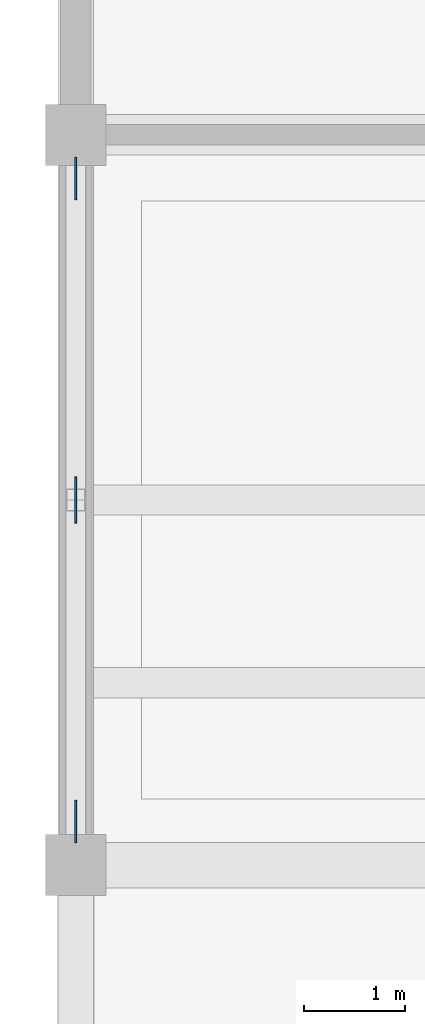
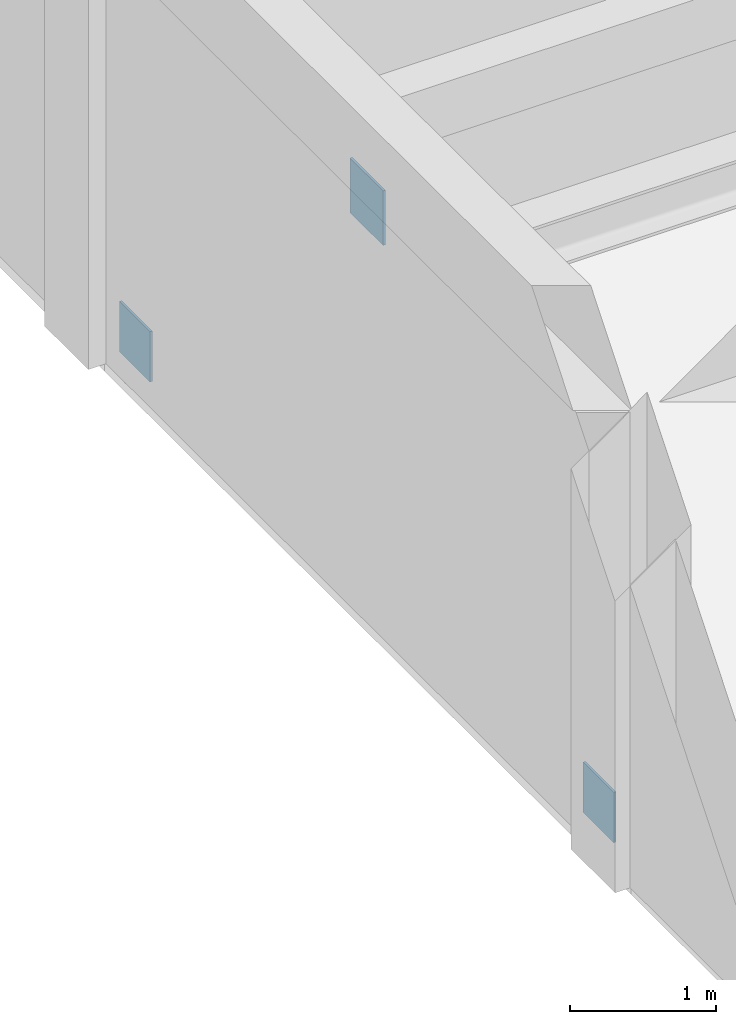
# One storey, part 55 of 81: 3 plates.
"""IFC4 building model written with IfcOpenShell, lengths in metres."""

from ifc_helpers import new_model, si_unit, direction, frame, origin, origin_2d, place, context, subcontext, project, spatial, rectangle, extrude, material, layer, layer_set, type_object, element, save


model = new_model("IFC4")

# Units and contexts
model_context = context("Model", 3, precision=1e-05, world=origin(), true_north=direction((0.0, 1.0)))
body_context = subcontext(model_context, "Body", "Model", "MODEL_VIEW")
ifc_project = project(units=[si_unit("LENGTHUNIT", "METRE"), si_unit("AREAUNIT", "SQUARE_METRE"), si_unit("VOLUMEUNIT", "CUBIC_METRE"), si_unit("PLANEANGLEUNIT", "RADIAN"), si_unit("MASSUNIT", "GRAM", prefix="KILO")], contexts=[model_context])

# Site, building, storey
site_placement = place(None, origin())
site = spatial("IfcSite", under=ifc_project, at=site_placement, CompositionType="ELEMENT")
building_placement = place(site_placement, origin())
building = spatial("IfcBuilding", under=site, at=building_placement, Name="Kavelor Marine Aquarium", CompositionType="ELEMENT")
storey_placement = place(building_placement, frame((0.0, 0.0, 4.679931640625)))
storey = spatial("IfcBuildingStorey", under=building, at=storey_placement, Name="L01", CompositionType="ELEMENT", Elevation=4.679931640625)

# Plates
ifc_material_1 = material(Name="Steel S355", Category="steel")
ifc_layer_1 = layer(ifc_material_1, 0.01953125)
ifc_layer_set_1 = layer_set([ifc_layer_1], Name="PL-GP11")
plate_type_1 = type_object("IfcPlateType", Name="PL-GP11", PredefinedType="SHEET", material=ifc_layer_set_1)
plate_placement = place(storey_placement, frame((3.199951171875, 92.800048828125, 3.072509765625), z_axis=(0.0, 0.0, 1.0), x_axis=(1.0, 0.0, 0.0)))
element("IfcPlate", 1, at=plate_placement, inside=storey, type_object=plate_type_1, Name="sbr:gp:m:1", PredefinedType="SHEET", context=body_context, shape_type="SweptSolid", body=[
    extrude(rectangle(XDim=0.01953125, YDim=0.455078125, at=origin_2d()), origin(), (0.0, 0.0, 1.0), 0.455078125),
])
ifc_material_2 = material(Name="Steel S355", Category="steel")
ifc_layer_2 = layer(ifc_material_2, 0.01806640625)
ifc_layer_set_2 = layer_set([ifc_layer_2], Name="PL-GP12")
plate_type_2 = type_object("IfcPlateType", Name="PL-GP12", PredefinedType="SHEET", material=ifc_layer_set_2)
for number, where, z_axis, x_axis, name in (
    (2, (3.199951171875, 89.6298828125, 0.0), (0.0, 0.0, 1.0), (1.0, 0.0, 0.0), "sbr:gp:a:1"),
    (3, (3.199951171875, 95.969970703125, 0.0), (0.0, 0.0, 1.0), (1.0, 0.0, 0.0), "sbr:gp:b:1"),
):
    element("IfcPlate", number, at=place(storey_placement, frame(where, z_axis=z_axis, x_axis=x_axis)), inside=storey, type_object=plate_type_2, Name=name, PredefinedType="SHEET", context=body_context, shape_type="SweptSolid", body=[
        extrude(rectangle(XDim=0.01806640625, YDim=0.419921875, at=origin_2d()), origin(), (0.0, 0.0, 1.0), 0.419921875),
    ])

save(model, "model.ifc")
